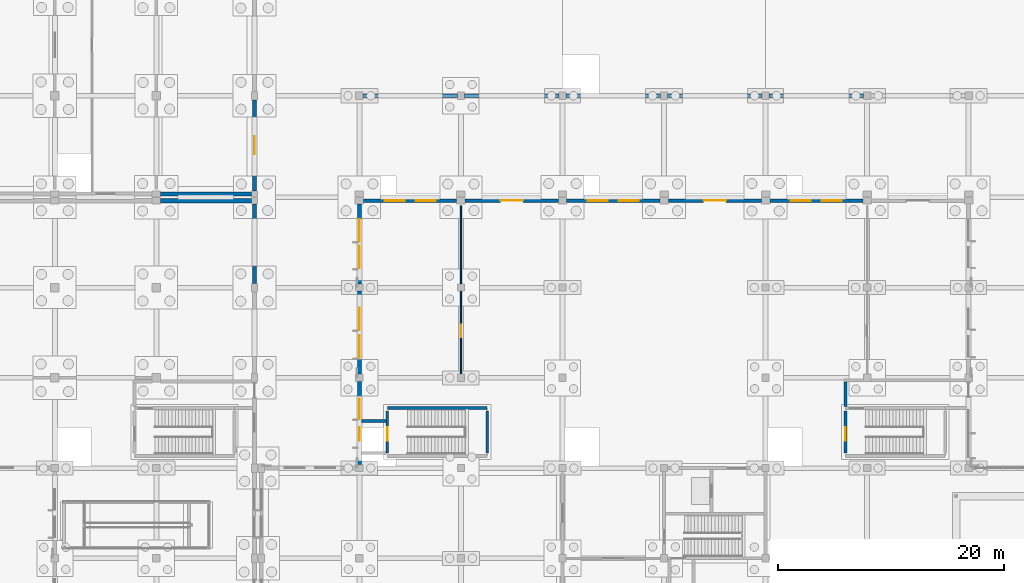
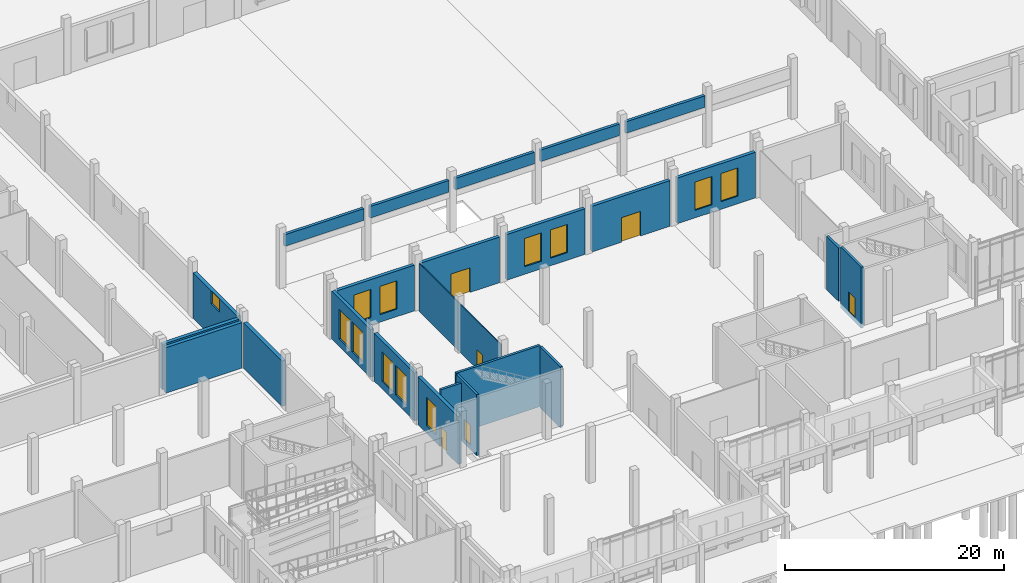
# One storey, part 59 of 99: 24 walls, 12 windows, 6 doors, 18 openings.
"""IFC4 building model written with IfcOpenShell, lengths in metres."""

from ifc_helpers import new_model, si_unit, direction, frame, frame_2d, origin, place, context, subcontext, project, spatial, rectangle, extrude, material, layer, layer_set, type_object, element, fill, save


model = new_model("IFC4")

# Units and contexts
model_context = context("Model", 3, precision=1e-05, world=origin(), true_north=direction((0.0, 1.0)))
body_context = subcontext(model_context, "Body", "Model", "MODEL_VIEW")
ifc_project = project(units=[si_unit("LENGTHUNIT", "METRE"), si_unit("AREAUNIT", "SQUARE_METRE"), si_unit("VOLUMEUNIT", "CUBIC_METRE"), si_unit("PLANEANGLEUNIT", "RADIAN"), si_unit("MASSUNIT", "GRAM", prefix="KILO")], contexts=[model_context])

# Site, building, storey
site_placement = place(None, origin())
site = spatial("IfcSite", under=ifc_project, at=site_placement, CompositionType="ELEMENT")
building_placement = place(site_placement, origin())
building = spatial("IfcBuilding", under=site, at=building_placement, Name="Zacnel Wholesale Market", CompositionType="ELEMENT")
storey_placement = place(building_placement, origin())
storey = spatial("IfcBuildingStorey", under=building, at=storey_placement, Name="L01", CompositionType="ELEMENT", Elevation=0.0)

# Walls
ifc_material_1 = material(Name="Concrete C40/50", Category="concrete")
ifc_layer_1 = layer(ifc_material_1, 0.2548828125)
ifc_layer_set_1 = layer_set([ifc_layer_1], Name="Concrete C40/50")
wall_type_1 = type_object("IfcWallType", Name="WL-COMP-FW250", PredefinedType="STANDARD", material=ifc_layer_set_1)
wall_1_placement = place(storey_placement, frame((81.169921875, 28.177490234375, 0.0), z_axis=(0.0, 0.0, 1.0), x_axis=(1.0, 0.0, 0.0)))
element("IfcWall", 1, at=wall_1_placement, inside=storey, type_object=wall_type_1, Name="Exit passage ST-18 fire barrier wall 2", PredefinedType="STANDARD", context=body_context, shape_type="SweptSolid", body=[
    extrude(rectangle(XDim=2.18017578125, YDim=0.2548828125, at=frame_2d((1.090087890625, 0.0))), origin(), (0.0, 0.0, 1.0), 5.949951171875),
])
wall_2_placement = place(storey_placement, frame((124.072509765625, 29.449951171875, 0.0), z_axis=(0.0, 0.0, 1.0), x_axis=(0.0, 1.0, 0.0)))
element("IfcWall", 2, at=wall_2_placement, inside=storey, type_object=wall_type_1, Name="Exit passage ST-19 fire barrier wall 1", PredefinedType="STANDARD", context=body_context, shape_type="SweptSolid", body=[
    extrude(rectangle(XDim=2.199951171875, YDim=0.2548828125, at=frame_2d((1.10009765625, 0.0))), origin(), (0.0, 0.0, 1.0), 5.949951171875),
])
ifc_material_2 = material(Name="Concrete C40/50", Category="concrete")
ifc_layer_2 = layer(ifc_material_2, 0.25)
ifc_layer_set_2 = layer_set([ifc_layer_2], Name="Concrete C40/50")
wall_type_2 = type_object("IfcWallType", Name="WL-CORE-SW250", PredefinedType="SOLIDWALL", material=ifc_layer_set_2)
wall_3_placement = place(storey_placement, frame((83.47509765625, 29.324951171875, -0.5), z_axis=(0.0, 0.0, 1.0), x_axis=(1.0, 0.0, 0.0)))
element("IfcWall", 3, at=wall_3_placement, inside=storey, type_object=wall_type_2, Name="Stair ST-18 north enclosure wall L01", PredefinedType="SOLIDWALL", context=body_context, shape_type="SweptSolid", body=[
    extrude(rectangle(XDim=8.849853515625, YDim=0.25, at=frame_2d((4.4248046875, 0.0))), origin(), (0.0, 0.0, 1.0), 6.800048828125),
])

# Wall, opening, door
wall_4_placement = place(storey_placement, frame((83.47509765625, 25.324951171875, -0.5), z_axis=(0.0, 0.0, 1.0), x_axis=(0.0, 1.0, 0.0)))
wall_4 = element("IfcWall", 4, at=wall_4_placement, inside=storey, type_object=wall_type_2, Name="Stair ST-18 west enclosure wall L01", PredefinedType="SOLIDWALL", context=body_context, shape_type="SweptSolid", body=[
    extrude(rectangle(XDim=3.75, YDim=0.25, at=frame_2d((1.875, 0.0))), origin(), (0.0, 0.0, 1.0), 6.800048828125),
])
opening_1_placement = place(wall_4_placement, frame((1.10009765625, 0.0, 0.5)))
opening_1 = element("IfcOpeningElement", 5, at=opening_1_placement, cuts=wall_4, Name="Opening FD-01", PredefinedType="OPENING", context=body_context, shape_type="SweptSolid", body=[
    extrude(rectangle(XDim=1.199951171875, YDim=2.199951171875, at=frame_2d((0.60009765625, 1.10009765625))), frame((0.0, 0.135009765625, 0.0), z_axis=(0.0, -1.0, 0.0), x_axis=(1.0, 0.0, 0.0)), (0.0, 0.0, 1.0), 0.27001953125),
])
ifc_material_3 = material(Name="Galvanized steel", Category="steel")
door_type_1 = type_object("IfcDoorType", Name="DR-FIRE-STAIR-1200", OperationType="NOTDEFINED", PredefinedType="DOOR", material=ifc_material_3)
door_1_placement = place(opening_1_placement, origin())
door_1 = element("IfcDoor", 6, at=door_1_placement, inside=storey, type_object=door_type_1, Name="Stair ST-18 fire door L01", OperationType="SINGLE_SWING_RIGHT", OverallHeight=2.199951171875, OverallWidth=1.199951171875, PredefinedType="DOOR", context=body_context, shape_type="SweptSolid", body=[
    extrude(rectangle(XDim=1.199951171875, YDim=2.199951171875, at=frame_2d((0.60009765625, 1.10009765625))), frame((0.0, 0.02490234375, 0.0), z_axis=(0.0, -1.0, 0.0), x_axis=(1.0, 0.0, 0.0)), (0.0, 0.0, 1.0), 0.050048828125),
])
fill(opening_1, door_1)

# Wall
wall_5_placement = place(storey_placement, frame((92.324951171875, 25.324951171875, -0.5), z_axis=(0.0, 0.0, 1.0), x_axis=(0.0, 1.0, 0.0)))
element("IfcWall", 7, at=wall_5_placement, inside=storey, type_object=wall_type_2, Name="Stair ST-18 east enclosure wall L01", PredefinedType="SOLIDWALL", context=body_context, shape_type="SweptSolid", body=[
    extrude(rectangle(XDim=3.75, YDim=0.25, at=frame_2d((1.875, 0.0))), origin(), (0.0, 0.0, 1.0), 6.800048828125),
])

# Wall, opening, door
wall_6_placement = place(storey_placement, frame((124.074951171875, 25.324951171875, -0.5), z_axis=(0.0, 0.0, 1.0), x_axis=(0.0, 1.0, 0.0)))
wall_6 = element("IfcWall", 8, at=wall_6_placement, inside=storey, type_object=wall_type_2, Name="Stair ST-19 west enclosure wall L01", PredefinedType="SOLIDWALL", context=body_context, shape_type="SweptSolid", body=[
    extrude(rectangle(XDim=3.75, YDim=0.25, at=frame_2d((1.875, 0.0))), origin(), (0.0, 0.0, 1.0), 6.800048828125),
])
opening_2_placement = place(wall_6_placement, frame((1.10009765625, 0.0, 0.5)))
opening_2 = element("IfcOpeningElement", 9, at=opening_2_placement, cuts=wall_6, Name="Opening FD-01", PredefinedType="OPENING", context=body_context, shape_type="SweptSolid", body=[
    extrude(rectangle(XDim=1.199951171875, YDim=2.199951171875, at=frame_2d((0.60009765625, 1.10009765625))), frame((0.0, 0.135009765625, 0.0), z_axis=(0.0, -1.0, 0.0), x_axis=(1.0, 0.0, 0.0)), (0.0, 0.0, 1.0), 0.27001953125),
])
door_2_placement = place(opening_2_placement, origin())
door_2 = element("IfcDoor", 10, at=door_2_placement, inside=storey, type_object=door_type_1, Name="Stair ST-19 fire door L01", OperationType="SINGLE_SWING_LEFT", OverallHeight=2.199951171875, OverallWidth=1.199951171875, PredefinedType="DOOR", context=body_context, shape_type="SweptSolid", body=[
    extrude(rectangle(XDim=1.199951171875, YDim=2.199951171875, at=frame_2d((0.60009765625, 1.10009765625))), frame((0.0, 0.02490234375, 0.0), z_axis=(0.0, -1.0, 0.0), x_axis=(1.0, 0.0, 0.0)), (0.0, 0.0, 1.0), 0.050048828125),
])
fill(opening_2, door_2)

# Walls
ifc_material_4 = material(Name="Precast concrete C40/50 (insulated sandwich panel)", Category="concrete")
ifc_layer_3 = layer(ifc_material_4, 0.3798828125)
ifc_layer_set_3 = layer_set([ifc_layer_3], Name="Precast concrete C40/50 (insulated sandwich panel)")
wall_type_3 = type_object("IfcWallType", Name="WL-EXT-COLD-380", PredefinedType="SOLIDWALL", material=ifc_layer_set_3)
wall_7_placement = place(storey_placement, frame((63.375, 47.699951171875, 0.0), z_axis=(0.0, 0.0, 1.0), x_axis=(1.0, 0.0, 0.0)))
element("IfcWall", 11, at=wall_7_placement, inside=storey, type_object=wall_type_3, Name="Exterior wall L01-0031", PredefinedType="SOLIDWALL", context=body_context, shape_type="SweptSolid", body=[
    extrude(rectangle(XDim=8.050048828125, YDim=0.3798828125, at=frame_2d((4.02490234375, 0.0))), origin(), (0.0, 0.0, 1.0), 5.080078125),
])
wall_8_placement = place(storey_placement, frame((71.699951171875, 40.375, 0.0), z_axis=(0.0, 0.0, 1.0), x_axis=(0.0, 1.0, 0.0)))
element("IfcWall", 12, at=wall_8_placement, inside=storey, type_object=wall_type_3, Name="Exterior wall L01-0034", PredefinedType="SOLIDWALL", context=body_context, shape_type="SweptSolid", body=[
    extrude(rectangle(XDim=7.050048828125, YDim=0.3798828125, at=frame_2d((3.52490234375, 0.0))), origin(), (0.0, 0.0, 1.0), 5.080078125),
])
wall_9_placement = place(storey_placement, frame((63.375, 48.300048828125, 0.0), z_axis=(0.0, 0.0, 1.0), x_axis=(1.0, 0.0, 0.0)))
element("IfcWall", 13, at=wall_9_placement, inside=storey, type_object=wall_type_3, Name="Exterior wall L01-0040", PredefinedType="SOLIDWALL", context=body_context, shape_type="SweptSolid", body=[
    extrude(rectangle(XDim=8.050048828125, YDim=0.3798828125, at=frame_2d((4.02490234375, 0.0))), origin(), (0.0, 0.0, 1.0), 5.080078125),
])

# Wall, opening, window
wall_10_placement = place(storey_placement, frame((71.699951171875, 48.574951171875, 0.0), z_axis=(0.0, 0.0, 1.0), x_axis=(0.0, 1.0, 0.0)))
wall_10 = element("IfcWall", 14, at=wall_10_placement, inside=storey, type_object=wall_type_3, Name="Exterior wall L01-0047", PredefinedType="SOLIDWALL", context=body_context, shape_type="SweptSolid", body=[
    extrude(rectangle(XDim=8.050048828125, YDim=0.3798828125, at=frame_2d((4.02490234375, 0.0))), origin(), (0.0, 0.0, 1.0), 5.080078125),
])
opening_3_placement = place(wall_10_placement, frame((3.22509765625, 0.0, 3.590087890625)))
opening_3 = element("IfcOpeningElement", 15, at=opening_3_placement, cuts=wall_10, Name="Opening W-06", PredefinedType="OPENING", context=body_context, shape_type="SweptSolid", body=[
    extrude(rectangle(XDim=1.60009765625, YDim=1.449951171875, at=frame_2d((0.800048828125, 0.72509765625))), frame((0.0, 0.199951171875, 0.0), z_axis=(0.0, -1.0, 0.0), x_axis=(1.0, 0.0, 0.0)), (0.0, 0.0, 1.0), 0.39990234375),
])
ifc_material_5 = material(Name="Laminated hurricane-impact low-E insulated glass", Category="glass")
window_type_1 = type_object("IfcWindowType", Name="WIN-HIG-1600X1450", PartitioningType="DOUBLE_PANEL_HORIZONTAL", PredefinedType="WINDOW", material=ifc_material_5)
window_1_placement = place(opening_3_placement, origin())
window_1 = element("IfcWindow", 16, at=window_1_placement, inside=storey, type_object=window_type_1, Name="Window L01-0025", OverallHeight=1.449951171875, OverallWidth=1.60009765625, PartitioningType="DOUBLE_PANEL_HORIZONTAL", PredefinedType="WINDOW", context=body_context, shape_type="SweptSolid", body=[
    extrude(rectangle(XDim=1.60009765625, YDim=1.449951171875, at=frame_2d((0.800048828125, 0.72509765625))), frame((0.0, 0.030029296875, 0.0), z_axis=(0.0, -1.0, 0.0), x_axis=(1.0, 0.0, 0.0)), (0.0, 0.0, 1.0), 0.06005859375),
])
fill(opening_3, window_1)

# Walls
ifc_material_6 = material(Name="Precast concrete C40/50 (Cancun limestone aggregate)", Category="masonry")
ifc_layer_4 = layer(ifc_material_6, 0.300048828125)
ifc_layer_set_4 = layer_set([ifc_layer_4], Name="Precast concrete C40/50 (Cancun limestone aggregate)")
wall_type_4 = type_object("IfcWallType", Name="WL-EXT-LIME-300", PredefinedType="SOLIDWALL", material=ifc_layer_set_4)
for number, where, z_axis, x_axis, name in (
    (17, (81.324951171875, 57.0, 4.449951171875), (0.0, 0.0, 1.0), (1.0, 0.0, 0.0), "Auction portico limestone architrave 01"),
    (18, (90.324951171875, 57.0, 4.449951171875), (0.0, 0.0, 1.0), (1.0, 0.0, 0.0), "Auction portico limestone architrave 02"),
    (19, (99.324951171875, 57.0, 4.449951171875), (0.0, 0.0, 1.0), (1.0, 0.0, 0.0), "Auction portico limestone architrave 03"),
    (20, (108.324951171875, 57.0, 4.449951171875), (0.0, 0.0, 1.0), (1.0, 0.0, 0.0), "Auction portico limestone architrave 04"),
    (21, (117.324951171875, 57.0, 4.449951171875), (0.0, 0.0, 1.0), (1.0, 0.0, 0.0), "Auction portico limestone architrave 05"),
):
    element("IfcWall", number, at=place(storey_placement, frame(where, z_axis=z_axis, x_axis=x_axis)), inside=storey, type_object=wall_type_4, Name=name, PredefinedType="SOLIDWALL", context=body_context, shape_type="SweptSolid", body=[
        extrude(rectangle(XDim=8.35009765625, YDim=0.300048828125, at=frame_2d((4.175048828125, 0.0))), origin(), (0.0, 0.0, 1.0), 1.2900390625),
    ])

# Wall, openings, windows
ifc_material_7 = material(Name="Precast concrete C40/50 (Cancun limestone aggregate)", Category="masonry")
ifc_layer_5 = layer(ifc_material_7, 0.340087890625)
ifc_layer_set_5 = layer_set([ifc_layer_5], Name="Precast concrete C40/50 (Cancun limestone aggregate)")
wall_type_5 = type_object("IfcWallType", Name="WL-EXT-LIME-340", PredefinedType="SOLIDWALL", material=ifc_layer_set_5)
wall_11_placement = place(storey_placement, frame((81.375, 47.699951171875, 0.0), z_axis=(0.0, 0.0, 1.0), x_axis=(1.0, 0.0, 0.0)))
wall_11 = element("IfcWall", 22, at=wall_11_placement, inside=storey, type_object=wall_type_5, Name="Exterior wall L01-0088", PredefinedType="SOLIDWALL", context=body_context, shape_type="SweptSolid", body=[
    extrude(rectangle(XDim=8.25, YDim=0.340087890625, at=frame_2d((4.125, 0.0))), origin(), (0.0, 0.0, 1.0), 5.10009765625),
])
opening_4_placement = place(wall_11_placement, frame((1.85009765625, 0.0, 0.85009765625)))
opening_4 = element("IfcOpeningElement", 23, at=opening_4_placement, cuts=wall_11, Name="Opening W-03", PredefinedType="OPENING", context=body_context, shape_type="SweptSolid", body=[
    extrude(rectangle(XDim=1.800048828125, YDim=3.14990234375, at=frame_2d((0.89990234375, 1.574951171875))), frame((0.0, 0.179931640625, 0.0), z_axis=(0.0, -1.0, 0.0), x_axis=(1.0, 0.0, 0.0)), (0.0, 0.0, 1.0), 0.360107421875),
])
opening_5_placement = place(wall_11_placement, frame((4.60009765625, 0.0, 0.85009765625)))
opening_5 = element("IfcOpeningElement", 24, at=opening_5_placement, cuts=wall_11, Name="Opening W-03", PredefinedType="OPENING", context=body_context, shape_type="SweptSolid", body=[
    extrude(rectangle(XDim=1.800048828125, YDim=3.14990234375, at=frame_2d((0.89990234375, 1.574951171875))), frame((0.0, 0.179931640625, 0.0), z_axis=(0.0, -1.0, 0.0), x_axis=(1.0, 0.0, 0.0)), (0.0, 0.0, 1.0), 0.360107421875),
])
ifc_material_8 = material(Name="Laminated hurricane-impact low-E insulated glass", Category="glass")
window_type_2 = type_object("IfcWindowType", Name="WIN-DEC-1800X3150", PartitioningType="DOUBLE_PANEL_VERTICAL", PredefinedType="WINDOW", material=ifc_material_8)
window_2_placement = place(opening_4_placement, origin())
window_2 = element("IfcWindow", 25, at=window_2_placement, inside=storey, type_object=window_type_2, Name="Window L01-0072", OverallHeight=3.14990234375, OverallWidth=1.800048828125, PartitioningType="DOUBLE_PANEL_VERTICAL", PredefinedType="WINDOW", context=body_context, shape_type="SweptSolid", body=[
    extrude(rectangle(XDim=1.800048828125, YDim=3.14990234375, at=frame_2d((0.89990234375, 1.574951171875))), frame((0.0, 0.030029296875, 0.0), z_axis=(0.0, -1.0, 0.0), x_axis=(1.0, 0.0, 0.0)), (0.0, 0.0, 1.0), 0.06005859375),
])
fill(opening_4, window_2)
window_3_placement = place(opening_5_placement, origin())
window_3 = element("IfcWindow", 26, at=window_3_placement, inside=storey, type_object=window_type_2, Name="Window L01-0073", OverallHeight=3.14990234375, OverallWidth=1.800048828125, PartitioningType="DOUBLE_PANEL_VERTICAL", PredefinedType="WINDOW", context=body_context, shape_type="SweptSolid", body=[
    extrude(rectangle(XDim=1.800048828125, YDim=3.14990234375, at=frame_2d((0.89990234375, 1.574951171875))), frame((0.0, 0.030029296875, 0.0), z_axis=(0.0, -1.0, 0.0), x_axis=(1.0, 0.0, 0.0)), (0.0, 0.0, 1.0), 0.06005859375),
])
fill(opening_5, window_3)

# Wall, opening, door
wall_12_placement = place(storey_placement, frame((90.375, 47.699951171875, 0.0), z_axis=(0.0, 0.0, 1.0), x_axis=(1.0, 0.0, 0.0)))
wall_12 = element("IfcWall", 27, at=wall_12_placement, inside=storey, type_object=wall_type_5, Name="Exterior wall L01-0089", PredefinedType="SOLIDWALL", context=body_context, shape_type="SweptSolid", body=[
    extrude(rectangle(XDim=8.25, YDim=0.340087890625, at=frame_2d((4.125, 0.0))), origin(), (0.0, 0.0, 1.0), 5.10009765625),
])
opening_6_placement = place(wall_12_placement, frame((3.125, 0.0, 0.0)))
opening_6 = element("IfcOpeningElement", 28, at=opening_6_placement, cuts=wall_12, Name="Opening ED-02", PredefinedType="OPENING", context=body_context, shape_type="SweptSolid", body=[
    extrude(rectangle(XDim=2.0, YDim=2.75, at=frame_2d((1.0, 1.375))), frame((0.0, 0.179931640625, 0.0), z_axis=(0.0, -1.0, 0.0), x_axis=(1.0, 0.0, 0.0)), (0.0, 0.0, 1.0), 0.360107421875),
])
ifc_material_9 = material(Name="Anodised aluminium", Category="aluminium")
door_type_2 = type_object("IfcDoorType", Name="DR-EXT-PORTAL-2000", OperationType="NOTDEFINED", PredefinedType="DOOR", material=ifc_material_9)
door_3_placement = place(opening_6_placement, origin())
door_3 = element("IfcDoor", 29, at=door_3_placement, inside=storey, type_object=door_type_2, Name="Auction pavilion colonnade portal 023", OperationType="DOUBLE_DOOR_SINGLE_SWING", OverallHeight=2.75, OverallWidth=2.0, PredefinedType="DOOR", context=body_context, shape_type="SweptSolid", body=[
    extrude(rectangle(XDim=2.0, YDim=2.75, at=frame_2d((1.0, 1.375))), frame((0.0, 0.02490234375, 0.0), z_axis=(0.0, -1.0, 0.0), x_axis=(1.0, 0.0, 0.0)), (0.0, 0.0, 1.0), 0.050048828125),
])
fill(opening_6, door_3)

# Wall, openings, windows
wall_13_placement = place(storey_placement, frame((99.375, 47.699951171875, 0.0), z_axis=(0.0, 0.0, 1.0), x_axis=(1.0, 0.0, 0.0)))
wall_13 = element("IfcWall", 30, at=wall_13_placement, inside=storey, type_object=wall_type_5, Name="Exterior wall L01-0090", PredefinedType="SOLIDWALL", context=body_context, shape_type="SweptSolid", body=[
    extrude(rectangle(XDim=8.25, YDim=0.340087890625, at=frame_2d((4.125, 0.0))), origin(), (0.0, 0.0, 1.0), 5.10009765625),
])
opening_7_placement = place(wall_13_placement, frame((1.85009765625, 0.0, 0.85009765625)))
opening_7 = element("IfcOpeningElement", 31, at=opening_7_placement, cuts=wall_13, Name="Opening W-03", PredefinedType="OPENING", context=body_context, shape_type="SweptSolid", body=[
    extrude(rectangle(XDim=1.800048828125, YDim=3.14990234375, at=frame_2d((0.89990234375, 1.574951171875))), frame((0.0, 0.179931640625, 0.0), z_axis=(0.0, -1.0, 0.0), x_axis=(1.0, 0.0, 0.0)), (0.0, 0.0, 1.0), 0.360107421875),
])
opening_8_placement = place(wall_13_placement, frame((4.60009765625, 0.0, 0.85009765625)))
opening_8 = element("IfcOpeningElement", 32, at=opening_8_placement, cuts=wall_13, Name="Opening W-03", PredefinedType="OPENING", context=body_context, shape_type="SweptSolid", body=[
    extrude(rectangle(XDim=1.800048828125, YDim=3.14990234375, at=frame_2d((0.89990234375, 1.574951171875))), frame((0.0, 0.179931640625, 0.0), z_axis=(0.0, -1.0, 0.0), x_axis=(1.0, 0.0, 0.0)), (0.0, 0.0, 1.0), 0.360107421875),
])
window_4_placement = place(opening_7_placement, origin())
window_4 = element("IfcWindow", 33, at=window_4_placement, inside=storey, type_object=window_type_2, Name="Window L01-0074", OverallHeight=3.14990234375, OverallWidth=1.800048828125, PartitioningType="DOUBLE_PANEL_VERTICAL", PredefinedType="WINDOW", context=body_context, shape_type="SweptSolid", body=[
    extrude(rectangle(XDim=1.800048828125, YDim=3.14990234375, at=frame_2d((0.89990234375, 1.574951171875))), frame((0.0, 0.030029296875, 0.0), z_axis=(0.0, -1.0, 0.0), x_axis=(1.0, 0.0, 0.0)), (0.0, 0.0, 1.0), 0.06005859375),
])
fill(opening_7, window_4)
window_5_placement = place(opening_8_placement, origin())
window_5 = element("IfcWindow", 34, at=window_5_placement, inside=storey, type_object=window_type_2, Name="Window L01-0075", OverallHeight=3.14990234375, OverallWidth=1.800048828125, PartitioningType="DOUBLE_PANEL_VERTICAL", PredefinedType="WINDOW", context=body_context, shape_type="SweptSolid", body=[
    extrude(rectangle(XDim=1.800048828125, YDim=3.14990234375, at=frame_2d((0.89990234375, 1.574951171875))), frame((0.0, 0.030029296875, 0.0), z_axis=(0.0, -1.0, 0.0), x_axis=(1.0, 0.0, 0.0)), (0.0, 0.0, 1.0), 0.06005859375),
])
fill(opening_8, window_5)

# Wall, opening, door
wall_14_placement = place(storey_placement, frame((108.375, 47.699951171875, 0.0), z_axis=(0.0, 0.0, 1.0), x_axis=(1.0, 0.0, 0.0)))
wall_14 = element("IfcWall", 35, at=wall_14_placement, inside=storey, type_object=wall_type_5, Name="Exterior wall L01-0091", PredefinedType="SOLIDWALL", context=body_context, shape_type="SweptSolid", body=[
    extrude(rectangle(XDim=8.25, YDim=0.340087890625, at=frame_2d((4.125, 0.0))), origin(), (0.0, 0.0, 1.0), 5.10009765625),
])
opening_9_placement = place(wall_14_placement, frame((3.125, 0.0, 0.0)))
opening_9 = element("IfcOpeningElement", 36, at=opening_9_placement, cuts=wall_14, Name="Opening ED-02", PredefinedType="OPENING", context=body_context, shape_type="SweptSolid", body=[
    extrude(rectangle(XDim=2.0, YDim=2.75, at=frame_2d((1.0, 1.375))), frame((0.0, 0.179931640625, 0.0), z_axis=(0.0, -1.0, 0.0), x_axis=(1.0, 0.0, 0.0)), (0.0, 0.0, 1.0), 0.360107421875),
])
door_4_placement = place(opening_9_placement, origin())
door_4 = element("IfcDoor", 37, at=door_4_placement, inside=storey, type_object=door_type_2, Name="Auction pavilion colonnade portal 024", OperationType="DOUBLE_DOOR_SINGLE_SWING", OverallHeight=2.75, OverallWidth=2.0, PredefinedType="DOOR", context=body_context, shape_type="SweptSolid", body=[
    extrude(rectangle(XDim=2.0, YDim=2.75, at=frame_2d((1.0, 1.375))), frame((0.0, 0.02490234375, 0.0), z_axis=(0.0, -1.0, 0.0), x_axis=(1.0, 0.0, 0.0)), (0.0, 0.0, 1.0), 0.050048828125),
])
fill(opening_9, door_4)

# Wall, openings, windows
wall_15_placement = place(storey_placement, frame((117.375, 47.699951171875, 0.0), z_axis=(0.0, 0.0, 1.0), x_axis=(1.0, 0.0, 0.0)))
wall_15 = element("IfcWall", 38, at=wall_15_placement, inside=storey, type_object=wall_type_5, Name="Exterior wall L01-0092", PredefinedType="SOLIDWALL", context=body_context, shape_type="SweptSolid", body=[
    extrude(rectangle(XDim=8.25, YDim=0.340087890625, at=frame_2d((4.125, 0.0))), origin(), (0.0, 0.0, 1.0), 5.10009765625),
])
opening_10_placement = place(wall_15_placement, frame((1.85009765625, 0.0, 0.85009765625)))
opening_10 = element("IfcOpeningElement", 39, at=opening_10_placement, cuts=wall_15, Name="Opening W-03", PredefinedType="OPENING", context=body_context, shape_type="SweptSolid", body=[
    extrude(rectangle(XDim=1.800048828125, YDim=3.14990234375, at=frame_2d((0.89990234375, 1.574951171875))), frame((0.0, 0.179931640625, 0.0), z_axis=(0.0, -1.0, 0.0), x_axis=(1.0, 0.0, 0.0)), (0.0, 0.0, 1.0), 0.360107421875),
])
opening_11_placement = place(wall_15_placement, frame((4.60009765625, 0.0, 0.85009765625)))
opening_11 = element("IfcOpeningElement", 40, at=opening_11_placement, cuts=wall_15, Name="Opening W-03", PredefinedType="OPENING", context=body_context, shape_type="SweptSolid", body=[
    extrude(rectangle(XDim=1.800048828125, YDim=3.14990234375, at=frame_2d((0.89990234375, 1.574951171875))), frame((0.0, 0.179931640625, 0.0), z_axis=(0.0, -1.0, 0.0), x_axis=(1.0, 0.0, 0.0)), (0.0, 0.0, 1.0), 0.360107421875),
])
window_6_placement = place(opening_10_placement, origin())
window_6 = element("IfcWindow", 41, at=window_6_placement, inside=storey, type_object=window_type_2, Name="Window L01-0076", OverallHeight=3.14990234375, OverallWidth=1.800048828125, PartitioningType="DOUBLE_PANEL_VERTICAL", PredefinedType="WINDOW", context=body_context, shape_type="SweptSolid", body=[
    extrude(rectangle(XDim=1.800048828125, YDim=3.14990234375, at=frame_2d((0.89990234375, 1.574951171875))), frame((0.0, 0.030029296875, 0.0), z_axis=(0.0, -1.0, 0.0), x_axis=(1.0, 0.0, 0.0)), (0.0, 0.0, 1.0), 0.06005859375),
])
fill(opening_10, window_6)
window_7_placement = place(opening_11_placement, origin())
window_7 = element("IfcWindow", 42, at=window_7_placement, inside=storey, type_object=window_type_2, Name="Window L01-0077", OverallHeight=3.14990234375, OverallWidth=1.800048828125, PartitioningType="DOUBLE_PANEL_VERTICAL", PredefinedType="WINDOW", context=body_context, shape_type="SweptSolid", body=[
    extrude(rectangle(XDim=1.800048828125, YDim=3.14990234375, at=frame_2d((0.89990234375, 1.574951171875))), frame((0.0, 0.030029296875, 0.0), z_axis=(0.0, -1.0, 0.0), x_axis=(1.0, 0.0, 0.0)), (0.0, 0.0, 1.0), 0.06005859375),
])
fill(opening_11, window_7)

# Wall, openings, door, window
wall_16_placement = place(storey_placement, frame((81.0, 24.324951171875, 0.0), z_axis=(0.0, 0.0, 1.0), x_axis=(0.0, 1.0, 0.0)))
wall_16 = element("IfcWall", 43, at=wall_16_placement, inside=storey, type_object=wall_type_5, Name="Exterior wall L01-0094", PredefinedType="SOLIDWALL", context=body_context, shape_type="SweptSolid", body=[
    extrude(rectangle(XDim=7.35009765625, YDim=0.340087890625, at=frame_2d((3.675048828125, 0.0))), origin(), (0.0, 0.0, 1.0), 5.35009765625),
])
opening_12_placement = place(wall_16_placement, frame((4.0, 0.0, 0.85009765625)))
opening_12 = element("IfcOpeningElement", 44, at=opening_12_placement, cuts=wall_16, Name="Opening W-03", PredefinedType="OPENING", context=body_context, shape_type="SweptSolid", body=[
    extrude(rectangle(XDim=1.800048828125, YDim=3.14990234375, at=frame_2d((0.89990234375, 1.574951171875))), frame((0.0, 0.179931640625, 0.0), z_axis=(0.0, -1.0, 0.0), x_axis=(1.0, 0.0, 0.0)), (0.0, 0.0, 1.0), 0.360107421875),
])
opening_13_placement = place(wall_16_placement, frame((2.10009765625, 0.0, 0.0)))
opening_13 = element("IfcOpeningElement", 45, at=opening_13_placement, cuts=wall_16, Name="Opening ED-04", PredefinedType="OPENING", context=body_context, shape_type="SweptSolid", body=[
    extrude(rectangle(XDim=1.199951171875, YDim=2.25, at=frame_2d((0.60009765625, 1.125))), frame((0.0, 0.179931640625, 0.0), z_axis=(0.0, -1.0, 0.0), x_axis=(1.0, 0.0, 0.0)), (0.0, 0.0, 1.0), 0.360107421875),
])
ifc_material_10 = material(Name="Galvanized steel S355", Category="steel")
door_type_3 = type_object("IfcDoorType", Name="DR-EXT-EXIT-1200", OperationType="NOTDEFINED", PredefinedType="DOOR", material=ifc_material_10)
door_5_placement = place(opening_13_placement, origin())
door_5 = element("IfcDoor", 46, at=door_5_placement, inside=storey, type_object=door_type_3, Name="Final exit door ST-18 to the west", OperationType="SINGLE_SWING_LEFT", OverallHeight=2.25, OverallWidth=1.199951171875, PredefinedType="DOOR", context=body_context, shape_type="SweptSolid", body=[
    extrude(rectangle(XDim=1.199951171875, YDim=2.25, at=frame_2d((0.60009765625, 1.125))), frame((0.0, 0.02490234375, 0.0), z_axis=(0.0, -1.0, 0.0), x_axis=(1.0, 0.0, 0.0)), (0.0, 0.0, 1.0), 0.050048828125),
])
fill(opening_13, door_5)
window_8_placement = place(opening_12_placement, origin())
window_8 = element("IfcWindow", 47, at=window_8_placement, inside=storey, type_object=window_type_2, Name="Window L01-0079", OverallHeight=3.14990234375, OverallWidth=1.800048828125, PartitioningType="DOUBLE_PANEL_VERTICAL", PredefinedType="WINDOW", context=body_context, shape_type="SweptSolid", body=[
    extrude(rectangle(XDim=1.800048828125, YDim=3.14990234375, at=frame_2d((0.89990234375, 1.574951171875))), frame((0.0, 0.030029296875, 0.0), z_axis=(0.0, -1.0, 0.0), x_axis=(1.0, 0.0, 0.0)), (0.0, 0.0, 1.0), 0.06005859375),
])
fill(opening_12, window_8)

# Wall, openings, windows
wall_17_placement = place(storey_placement, frame((81.0, 32.324951171875, 0.0), z_axis=(0.0, 0.0, 1.0), x_axis=(0.0, 1.0, 0.0)))
wall_17 = element("IfcWall", 48, at=wall_17_placement, inside=storey, type_object=wall_type_5, Name="Exterior wall L01-0095", PredefinedType="SOLIDWALL", context=body_context, shape_type="SweptSolid", body=[
    extrude(rectangle(XDim=7.35009765625, YDim=0.340087890625, at=frame_2d((3.675048828125, 0.0))), origin(), (0.0, 0.0, 1.0), 5.35009765625),
])
opening_14_placement = place(wall_17_placement, frame((1.449951171875, 0.0, 0.85009765625)))
opening_14 = element("IfcOpeningElement", 49, at=opening_14_placement, cuts=wall_17, Name="Opening W-02", PredefinedType="OPENING", context=body_context, shape_type="SweptSolid", body=[
    extrude(rectangle(XDim=2.0, YDim=3.300048828125, at=frame_2d((1.0, 1.64990234375))), frame((0.0, 0.179931640625, 0.0), z_axis=(0.0, -1.0, 0.0), x_axis=(1.0, 0.0, 0.0)), (0.0, 0.0, 1.0), 0.360107421875),
])
opening_15_placement = place(wall_17_placement, frame((3.89990234375, 0.0, 0.85009765625)))
opening_15 = element("IfcOpeningElement", 50, at=opening_15_placement, cuts=wall_17, Name="Opening W-02", PredefinedType="OPENING", context=body_context, shape_type="SweptSolid", body=[
    extrude(rectangle(XDim=2.0, YDim=3.300048828125, at=frame_2d((1.0, 1.64990234375))), frame((0.0, 0.179931640625, 0.0), z_axis=(0.0, -1.0, 0.0), x_axis=(1.0, 0.0, 0.0)), (0.0, 0.0, 1.0), 0.360107421875),
])
ifc_material_11 = material(Name="Laminated hurricane-impact low-E insulated glass", Category="glass")
window_type_3 = type_object("IfcWindowType", Name="WIN-DEC-2000X3300", PartitioningType="DOUBLE_PANEL_VERTICAL", PredefinedType="WINDOW", material=ifc_material_11)
window_9_placement = place(opening_14_placement, origin())
window_9 = element("IfcWindow", 51, at=window_9_placement, inside=storey, type_object=window_type_3, Name="Window L01-0080", OverallHeight=3.300048828125, OverallWidth=2.0, PartitioningType="DOUBLE_PANEL_VERTICAL", PredefinedType="WINDOW", context=body_context, shape_type="SweptSolid", body=[
    extrude(rectangle(XDim=2.0, YDim=3.300048828125, at=frame_2d((1.0, 1.64990234375))), frame((0.0, 0.030029296875, 0.0), z_axis=(0.0, -1.0, 0.0), x_axis=(1.0, 0.0, 0.0)), (0.0, 0.0, 1.0), 0.06005859375),
])
fill(opening_14, window_9)
window_10_placement = place(opening_15_placement, origin())
window_10 = element("IfcWindow", 52, at=window_10_placement, inside=storey, type_object=window_type_3, Name="Window L01-0081", OverallHeight=3.300048828125, OverallWidth=2.0, PartitioningType="DOUBLE_PANEL_VERTICAL", PredefinedType="WINDOW", context=body_context, shape_type="SweptSolid", body=[
    extrude(rectangle(XDim=2.0, YDim=3.300048828125, at=frame_2d((1.0, 1.64990234375))), frame((0.0, 0.030029296875, 0.0), z_axis=(0.0, -1.0, 0.0), x_axis=(1.0, 0.0, 0.0)), (0.0, 0.0, 1.0), 0.06005859375),
])
fill(opening_15, window_10)

wall_18_placement = place(storey_placement, frame((81.0, 40.324951171875, 0.0), z_axis=(0.0, 0.0, 1.0), x_axis=(0.0, 1.0, 0.0)))
wall_18 = element("IfcWall", 53, at=wall_18_placement, inside=storey, type_object=wall_type_5, Name="Exterior wall L01-0096", PredefinedType="SOLIDWALL", context=body_context, shape_type="SweptSolid", body=[
    extrude(rectangle(XDim=7.10009765625, YDim=0.340087890625, at=frame_2d((3.550048828125, 0.0))), origin(), (0.0, 0.0, 1.0), 5.35009765625),
])
opening_16_placement = place(wall_18_placement, frame((1.366943359375, 0.0, 0.85009765625)))
opening_16 = element("IfcOpeningElement", 54, at=opening_16_placement, cuts=wall_18, Name="Opening W-02", PredefinedType="OPENING", context=body_context, shape_type="SweptSolid", body=[
    extrude(rectangle(XDim=2.0, YDim=3.300048828125, at=frame_2d((1.0, 1.64990234375))), frame((0.0, 0.179931640625, 0.0), z_axis=(0.0, -1.0, 0.0), x_axis=(1.0, 0.0, 0.0)), (0.0, 0.0, 1.0), 0.360107421875),
])
opening_17_placement = place(wall_18_placement, frame((3.73291015625, 0.0, 0.85009765625)))
opening_17 = element("IfcOpeningElement", 55, at=opening_17_placement, cuts=wall_18, Name="Opening W-02", PredefinedType="OPENING", context=body_context, shape_type="SweptSolid", body=[
    extrude(rectangle(XDim=2.0, YDim=3.300048828125, at=frame_2d((1.0, 1.64990234375))), frame((0.0, 0.179931640625, 0.0), z_axis=(0.0, -1.0, 0.0), x_axis=(1.0, 0.0, 0.0)), (0.0, 0.0, 1.0), 0.360107421875),
])
window_11_placement = place(opening_16_placement, origin())
window_11 = element("IfcWindow", 56, at=window_11_placement, inside=storey, type_object=window_type_3, Name="Window L01-0082", OverallHeight=3.300048828125, OverallWidth=2.0, PartitioningType="DOUBLE_PANEL_VERTICAL", PredefinedType="WINDOW", context=body_context, shape_type="SweptSolid", body=[
    extrude(rectangle(XDim=2.0, YDim=3.300048828125, at=frame_2d((1.0, 1.64990234375))), frame((0.0, 0.030029296875, 0.0), z_axis=(0.0, -1.0, 0.0), x_axis=(1.0, 0.0, 0.0)), (0.0, 0.0, 1.0), 0.06005859375),
])
fill(opening_16, window_11)
window_12_placement = place(opening_17_placement, origin())
window_12 = element("IfcWindow", 57, at=window_12_placement, inside=storey, type_object=window_type_3, Name="Window L01-0083", OverallHeight=3.300048828125, OverallWidth=2.0, PartitioningType="DOUBLE_PANEL_VERTICAL", PredefinedType="WINDOW", context=body_context, shape_type="SweptSolid", body=[
    extrude(rectangle(XDim=2.0, YDim=3.300048828125, at=frame_2d((1.0, 1.64990234375))), frame((0.0, 0.030029296875, 0.0), z_axis=(0.0, -1.0, 0.0), x_axis=(1.0, 0.0, 0.0)), (0.0, 0.0, 1.0), 0.06005859375),
])
fill(opening_17, window_12)

# Wall, opening, door
ifc_material_12 = material(Name="Moisture-resistant gypsum board partition")
ifc_layer_6 = layer(ifc_material_12, 0.110107421875)
ifc_layer_set_6 = layer_set([ifc_layer_6], Name="Moisture-resistant gypsum board partition")
wall_type_6 = type_object("IfcWallType", Name="WL-PART-GYP110", PredefinedType="PARTITIONING", material=ifc_layer_set_6)
wall_19_placement = place(storey_placement, frame((90.0, 32.300048828125, 0.0), z_axis=(0.0, 0.0, 1.0), x_axis=(0.0, 1.0, 0.0)))
wall_19 = element("IfcWall", 58, at=wall_19_placement, inside=storey, type_object=wall_type_6, Name="Interior partition L01-0027", PredefinedType="PARTITIONING", context=body_context, shape_type="SweptSolid", body=[
    extrude(rectangle(XDim=14.949951171875, YDim=0.110107421875, at=frame_2d((7.47509765625, 0.0))), origin(), (0.0, 0.0, 1.0), 5.35009765625),
])
opening_18_placement = place(wall_19_placement, frame((3.31005859375, 0.0, 0.0)))
opening_18 = element("IfcOpeningElement", 59, at=opening_18_placement, cuts=wall_19, Name="Opening ID-10", PredefinedType="OPENING", context=body_context, shape_type="SweptSolid", body=[
    extrude(rectangle(XDim=1.080078125, YDim=2.14990234375, at=frame_2d((0.5400390625, 1.074951171875))), frame((0.0, 0.06494140625, 0.0), z_axis=(0.0, -1.0, 0.0), x_axis=(1.0, 0.0, 0.0)), (0.0, 0.0, 1.0), 0.130126953125),
])
ifc_material_13 = material(Name="Galvanized steel", Category="steel")
door_type_4 = type_object("IfcDoorType", Name="DR-STR-SGL-1080", OperationType="NOTDEFINED", PredefinedType="DOOR", material=ifc_material_13)
door_6_placement = place(opening_18_placement, origin())
door_6 = element("IfcDoor", 60, at=door_6_placement, inside=storey, type_object=door_type_4, Name="Interior door L01-0023", OperationType="SINGLE_SWING_RIGHT", OverallHeight=2.14990234375, OverallWidth=1.080078125, PredefinedType="DOOR", context=body_context, shape_type="SweptSolid", body=[
    extrude(rectangle(XDim=1.080078125, YDim=2.14990234375, at=frame_2d((0.5400390625, 1.074951171875))), frame((0.0, 0.02490234375, 0.0), z_axis=(0.0, -1.0, 0.0), x_axis=(1.0, 0.0, 0.0)), (0.0, 0.0, 1.0), 0.050048828125),
])
fill(opening_18, door_6)

save(model, "model.ifc")
